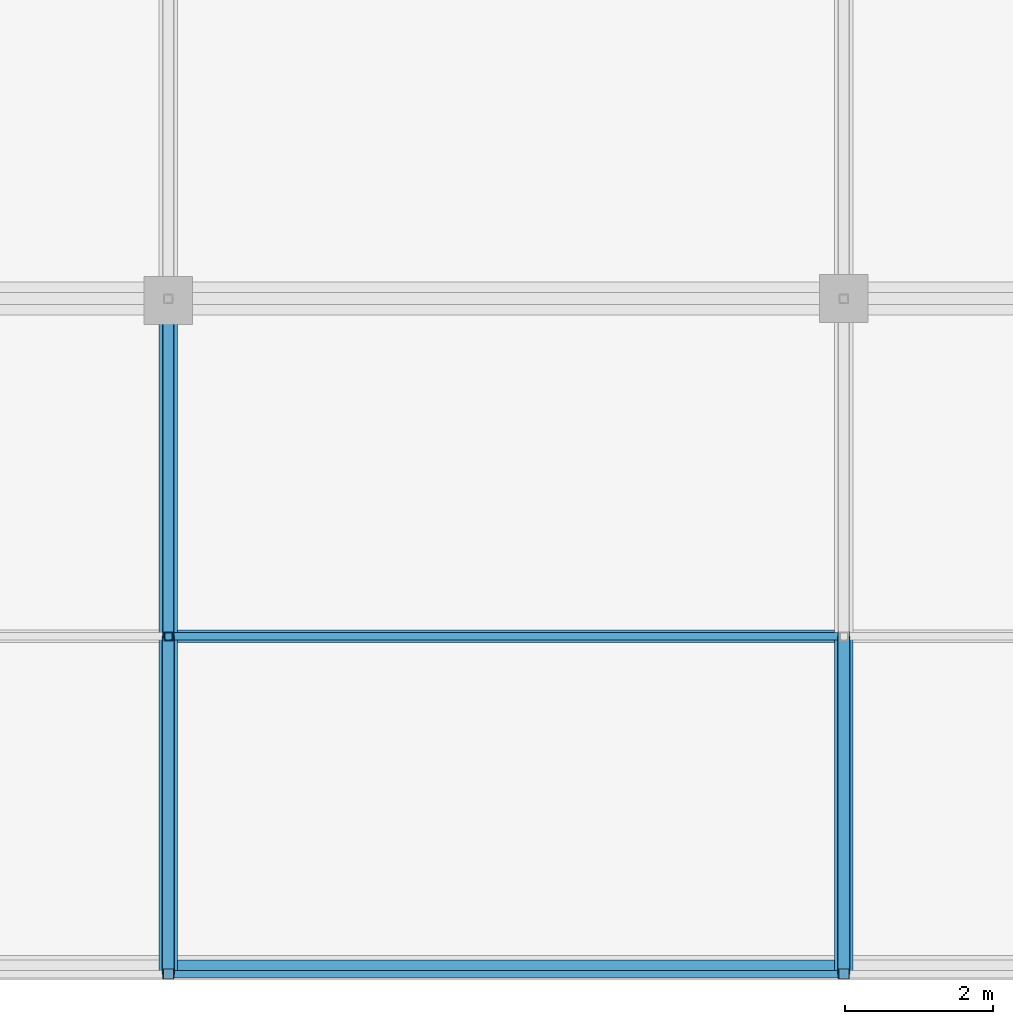
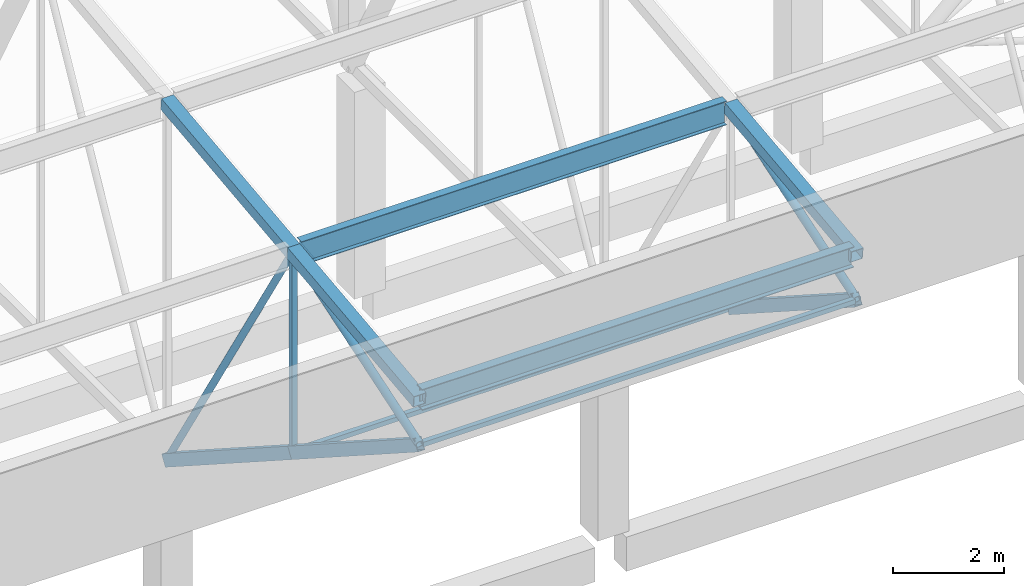
# One storey, part 97 of 500: 14 members.
"""IFC4 building model written with IfcOpenShell, lengths in metres."""

from ifc_helpers import new_model, si_unit, direction, frame, origin, origin_2d, place, context, subcontext, project, spatial, hollow_rectangle, hollow_circle, i_section, extrude, material, material_profile, profile_set, type_object, element, save


model = new_model("IFC4")

# Units and contexts
model_context = context("Model", 3, precision=1e-05, world=origin(), true_north=direction((0.0, 1.0)))
body_context = subcontext(model_context, "Body", "Model", "MODEL_VIEW")
ifc_project = project(units=[si_unit("LENGTHUNIT", "METRE"), si_unit("AREAUNIT", "SQUARE_METRE"), si_unit("VOLUMEUNIT", "CUBIC_METRE"), si_unit("PLANEANGLEUNIT", "RADIAN"), si_unit("MASSUNIT", "GRAM", prefix="KILO")], contexts=[model_context])

# Site, building, storey
site_placement = place(None, origin())
site = spatial("IfcSite", under=ifc_project, at=site_placement, CompositionType="ELEMENT")
building_placement = place(site_placement, origin())
building = spatial("IfcBuilding", under=site, at=building_placement, Name="Shirokan Park Arena", CompositionType="ELEMENT")
storey_placement = place(building_placement, frame((0.0, 0.0, 29.1201171875)))
storey = spatial("IfcBuildingStorey", under=building, at=storey_placement, Name="L06", CompositionType="ELEMENT", Elevation=29.1201171875)

# Members
ifc_material_1 = material(Name="Steel ASTM A500 Grade C", Category="steel")
ifc_material_profile_1 = material_profile(ifc_material_1, hollow_rectangle(XDim=0.152099609375, YDim=0.25390625, WallThickness=0.009521484375, at=origin_2d()), Name="HSS254X152.4X9.5")
ifc_profile_set_1 = profile_set([ifc_material_profile_1], Name="Steel ASTM A500 Grade C")
member_type_1 = type_object("IfcMemberType", Name="Bottom chord HSS254X152.4X9.5", PredefinedType="CHORD", material=ifc_profile_set_1)
for number, where, z_axis, x_axis, name in (
    (1, (72.800048828125, -9.10009765625, 10.531982421875), (0.0, 0.840971691661, -0.541079119746), (-1.0, 0.0, 0.0), "Truss T09 bottom chord 1"),
    (2, (72.800048828125, -4.550048828125, 7.6044921875), (0.0, 0.840971691661, -0.541079119746), (-1.0, 0.0, 0.0), "Truss T09 bottom chord 2"),
    (3, (81.89990234375, -9.10009765625, 10.531982421875), (0.0, 0.840971691661, -0.541079119746), (-1.0, 0.0, 0.0), "Truss T10 bottom chord 1"),
):
    element("IfcMember", number, at=place(storey_placement, frame(where, z_axis=z_axis, x_axis=x_axis)), inside=storey, type_object=member_type_1, Name=name, PredefinedType="CHORD", context=body_context, shape_type="SweptSolid", body=[
        extrude(hollow_rectangle(XDim=0.152099609375, YDim=0.25390625, WallThickness=0.009521484375, at=origin_2d()), origin(), (0.0, 0.0, 1.0), 5.410400390625),
    ])
ifc_material_profile_2 = material_profile(ifc_material_1, hollow_rectangle(XDim=0.10205078125, YDim=0.10205078125, WallThickness=0.00634765625, at=origin_2d()), Name="HSS101.6X101.6X6.4")
ifc_profile_set_2 = profile_set([ifc_material_profile_2], Name="Steel ASTM A500 Grade C")
member_type_2 = type_object("IfcMemberType", Name="Eave soffit rail HSS101.6X101.6X6.4", PredefinedType="USERDEFINED", material=ifc_profile_set_2)
for number, where, z_axis, x_axis, name in (
    (4, (72.85693359375, -9.10009765625, 10.531982421875), (1.0, 0.0, 0.0), (0.0, 1.0, 0.0), "Eave soffit rail S 1 bay 9"),
    (5, (72.85693359375, -4.550048828125, 7.6044921875), (1.0, 0.0, 0.0), (0.0, 1.0, 0.0), "Eave soffit rail S 2 bay 9"),
):
    element("IfcMember", number, at=place(storey_placement, frame(where, z_axis=z_axis, x_axis=x_axis)), inside=storey, type_object=member_type_2, Name=name, ObjectType="EAVE SOFFIT RAIL", PredefinedType="USERDEFINED", context=body_context, shape_type="SweptSolid", body=[
        extrude(hollow_rectangle(XDim=0.10205078125, YDim=0.10205078125, WallThickness=0.00634765625, at=origin_2d()), origin(), (0.0, 0.0, 1.0), 8.986083984375),
    ])
ifc_material_2 = material(Name="Steel ASTM A992", Category="steel")
ifc_material_profile_3 = material_profile(ifc_material_2, i_section(OverallWidth=0.166015625, OverallDepth=0.528076171875, WebThickness=0.009765625, FlangeThickness=0.013671875, at=origin_2d()), Name="W530X74")
ifc_profile_set_3 = profile_set([ifc_material_profile_3], Name="Steel ASTM A992")
member_type_3 = type_object("IfcMemberType", Name="Purlin W530X74", PredefinedType="PURLIN", material=ifc_profile_set_3)
member_1_placement = place(storey_placement, frame((72.927001953125, -4.550048828125, 11.9658203125), z_axis=(1.0, 0.0, 0.0), x_axis=(0.0, 1.0, 0.0)))
element("IfcMember", 6, at=member_1_placement, inside=storey, type_object=member_type_3, Name="Purlin 2 bay 9", PredefinedType="PURLIN", context=body_context, shape_type="SweptSolid", body=[
    extrude(i_section(OverallWidth=0.166015625, OverallDepth=0.528076171875, WebThickness=0.009765625, FlangeThickness=0.013671875, at=origin_2d()), origin(), (0.0, 0.0, 1.0), 8.845947265625),
])
ifc_material_profile_4 = material_profile(ifc_material_2, i_section(OverallWidth=0.19091796875, OverallDepth=0.45703125, WebThickness=0.009033203125, FlangeThickness=0.014404296875, at=origin_2d()), Name="W460X74")
ifc_profile_set_4 = profile_set([ifc_material_profile_4], Name="Steel ASTM A992")
member_type_4 = type_object("IfcMemberType", Name="Roof edge beam W460X74", PredefinedType="USERDEFINED", material=ifc_profile_set_4)
member_2_placement = place(storey_placement, frame((72.85693359375, -9.00439453125, 11.4814453125), z_axis=(1.0, 0.0, 0.0), x_axis=(0.0, 1.0, 0.0)))
element("IfcMember", 7, at=member_2_placement, inside=storey, type_object=member_type_4, Name="Roof edge beam S 10", ObjectType="ROOF EDGE BEAM", PredefinedType="USERDEFINED", context=body_context, shape_type="SweptSolid", body=[
    extrude(i_section(OverallWidth=0.19091796875, OverallDepth=0.45703125, WebThickness=0.009033203125, FlangeThickness=0.014404296875, at=origin_2d()), origin(), (0.0, 0.0, 1.0), 8.986083984375),
])
ifc_material_profile_5 = material_profile(ifc_material_1, hollow_rectangle(XDim=0.25390625, YDim=0.25390625, WallThickness=0.009521484375, at=origin_2d()), Name="HSS254X254X9.5")
ifc_profile_set_5 = profile_set([ifc_material_profile_5], Name="Steel ASTM A500 Grade C")
member_type_5 = type_object("IfcMemberType", Name="Top chord HSS254X254X9.5", PredefinedType="CHORD", material=ifc_profile_set_5)
for number, where, z_axis, x_axis, name in (
    (8, (72.800048828125, -9.10009765625, 11.50146484375), (0.0, 0.993532328996, 0.113549598152), (-1.0, 0.0, 0.0), "Truss T09 top chord 1"),
    (9, (72.800048828125, -4.550048828125, 12.021484375), (0.0, 0.993532328996, 0.113549598152), (-1.0, 0.0, 0.0), "Truss T09 top chord 2"),
    (10, (81.89990234375, -9.10009765625, 11.50146484375), (0.0, 0.993532328996, 0.113549598152), (-1.0, 0.0, 0.0), "Truss T10 top chord 1"),
):
    element("IfcMember", number, at=place(storey_placement, frame(where, z_axis=z_axis, x_axis=x_axis)), inside=storey, type_object=member_type_5, Name=name, PredefinedType="CHORD", context=body_context, shape_type="SweptSolid", body=[
        extrude(hollow_rectangle(XDim=0.25390625, YDim=0.25390625, WallThickness=0.009521484375, at=origin_2d()), origin(), (0.0, 0.0, 1.0), 4.57958984375),
    ])
ifc_material_profile_6 = material_profile(ifc_material_1, hollow_circle(Radius=0.070556640625, WallThickness=0.006591796875, at=origin_2d()), Name="HSS141.3X6.6")
ifc_profile_set_6 = profile_set([ifc_material_profile_6], Name="Steel ASTM A500 Grade C")
member_type_6 = type_object("IfcMemberType", Name="Truss diagonal HSS141.3X6.6", PredefinedType="BRACE", material=ifc_profile_set_6)
member_3_placement = place(storey_placement, frame((72.800048828125, -4.550048828125, 12.021484375), z_axis=(0.0, 0.526644483383, -0.850085635758), x_axis=(-1.0, 0.0, 0.0)))
element("IfcMember", 11, at=member_3_placement, inside=storey, type_object=member_type_6, Name="Truss T09 diagonal 2", PredefinedType="BRACE", context=body_context, shape_type="SweptSolid", body=[
    extrude(hollow_circle(Radius=0.070556640625, WallThickness=0.006591796875, at=origin_2d()), origin(), (0.0, 0.0, 1.0), 8.6396484375),
])
ifc_material_profile_7 = material_profile(ifc_material_1, hollow_circle(Radius=0.083984375, WallThickness=0.009521484375, at=origin_2d()), Name="HSS168.3X9.5")
ifc_profile_set_7 = profile_set([ifc_material_profile_7], Name="Steel ASTM A500 Grade C")
member_type_7 = type_object("IfcMemberType", Name="Truss diagonal HSS168.3X9.5", PredefinedType="BRACE", material=ifc_profile_set_7)
for number, where, z_axis, x_axis, name in (
    (12, (72.800048828125, -9.10009765625, 10.531982421875), (0.0, 0.950372733116, 0.311113593644), (-1.0, 0.0, 0.0), "Truss T09 diagonal 1"),
    (13, (81.89990234375, -9.10009765625, 10.531982421875), (0.0, 0.950372733116, 0.311113593644), (-1.0, 0.0, 0.0), "Truss T10 diagonal 1"),
):
    element("IfcMember", number, at=place(storey_placement, frame(where, z_axis=z_axis, x_axis=x_axis)), inside=storey, type_object=member_type_7, Name=name, PredefinedType="BRACE", context=body_context, shape_type="SweptSolid", body=[
        extrude(hollow_circle(Radius=0.083984375, WallThickness=0.009521484375, at=origin_2d()), origin(), (0.0, 0.0, 1.0), 4.78759765625),
    ])
ifc_material_profile_8 = material_profile(ifc_material_1, hollow_rectangle(XDim=0.114013671875, YDim=0.114013671875, WallThickness=0.00634765625, at=origin_2d()), Name="HSS114.3X114.3X6.4")
ifc_profile_set_8 = profile_set([ifc_material_profile_8], Name="Steel ASTM A500 Grade C")
member_type_8 = type_object("IfcMemberType", Name="Truss post HSS114.3X114.3X6.4", PredefinedType="POST", material=ifc_profile_set_8)
member_4_placement = place(storey_placement, frame((72.800048828125, -4.550048828125, 7.6044921875), z_axis=(0.0, 0.0, 1.0), x_axis=(1.0, 0.0, 0.0)))
element("IfcMember", 14, at=member_4_placement, inside=storey, type_object=member_type_8, Name="Truss T09 post 2", PredefinedType="POST", context=body_context, shape_type="SweptSolid", body=[
    extrude(hollow_rectangle(XDim=0.114013671875, YDim=0.114013671875, WallThickness=0.00634765625, at=origin_2d()), origin(), (0.0, 0.0, 1.0), 4.4169921875),
])

save(model, "model.ifc")
